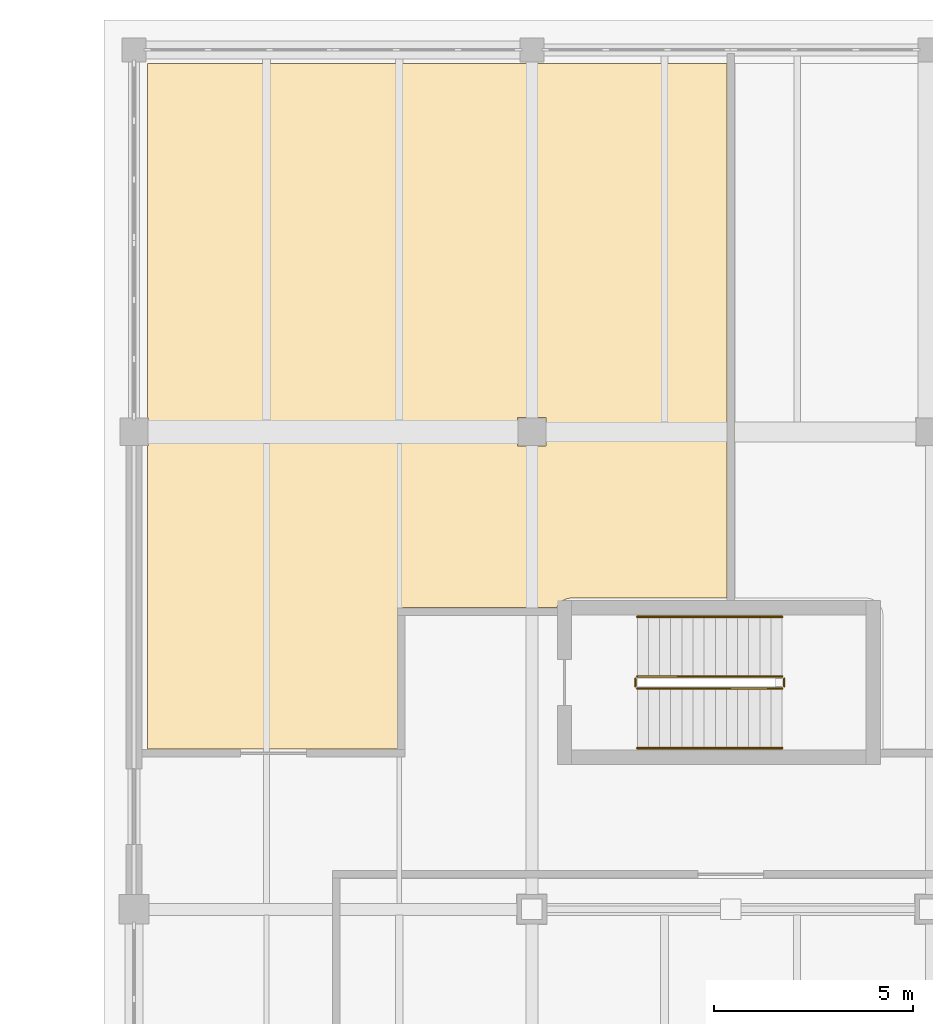
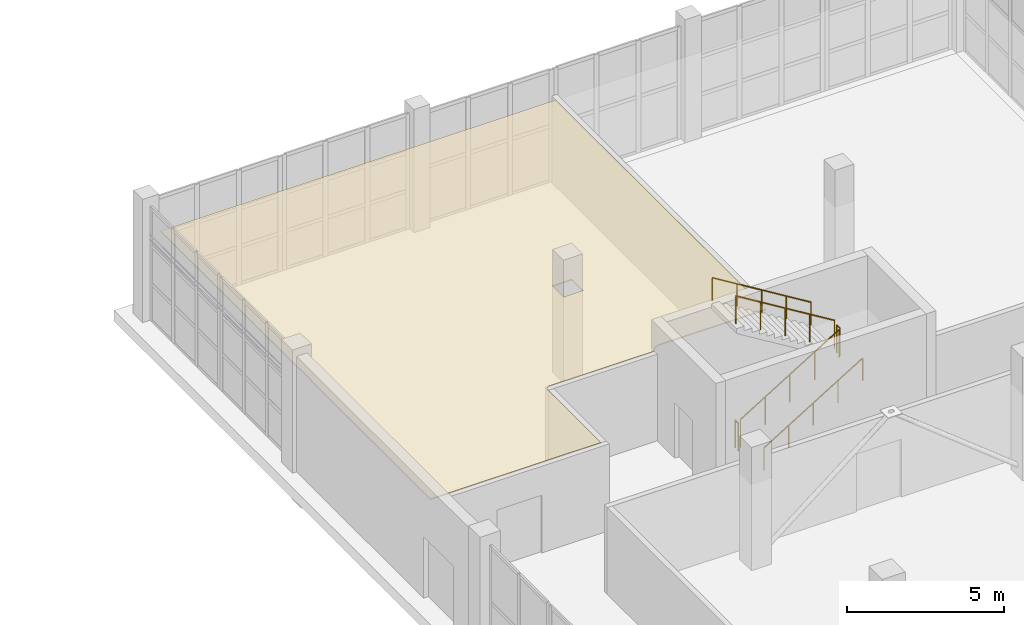
# One storey, part 117 of 121: 6 railings, 1 covering.
"""IFC4 building model written with IfcOpenShell, lengths in metres."""

from ifc_helpers import new_model, si_unit, direction, frame, origin, origin_2d, place, context, subcontext, project, spatial, polyline, circle, outline, extrude, material, layer, layer_set, type_object, element, save


model = new_model("IFC4")

# Units and contexts
model_context = context("Model", 3, precision=1e-05, world=origin(), true_north=direction((0.0, 1.0)))
body_context = subcontext(model_context, "Body", "Model", "MODEL_VIEW")
ifc_project = project(units=[si_unit("LENGTHUNIT", "METRE"), si_unit("AREAUNIT", "SQUARE_METRE"), si_unit("VOLUMEUNIT", "CUBIC_METRE"), si_unit("PLANEANGLEUNIT", "RADIAN"), si_unit("MASSUNIT", "GRAM", prefix="KILO")], contexts=[model_context])

# Site, building, storey
site_placement = place(None, origin())
site = spatial("IfcSite", under=ifc_project, at=site_placement, CompositionType="ELEMENT")
building_placement = place(site_placement, origin())
building = spatial("IfcBuilding", under=site, at=building_placement, Name="Zereglee Splitstone Museum", CompositionType="ELEMENT")
storey_placement = place(building_placement, origin())
storey = spatial("IfcBuildingStorey", under=building, at=storey_placement, Name="L00", CompositionType="ELEMENT", Elevation=0.0)

# Covering
ifc_material_1 = material(Name="Perforated acoustic gypsum board ceiling", Category="masonry")
ifc_layer = layer(ifc_material_1, 0.044921875)
ifc_layer_set = layer_set([ifc_layer], Name="Perforated acoustic gypsum board ceiling")
covering_type = type_object("IfcCoveringType", Name="CLG-02", PredefinedType="CEILING", material=ifc_layer_set)
covering_placement = place(storey_placement, frame((0.0, 0.0, 3.3349609375)))
element("IfcCovering", 1, at=covering_placement, inside=storey, type_object=covering_type, Name="Acoustic Ceiling L00-015", PredefinedType="CEILING", context=body_context, shape_type="SweptSolid", body=[
    extrude(outline(polyline([(181.9990234375, 45.97998046875), (181.9833984375, 45.979248046875), (181.9814453125, 45.97900390625), (181.9658203125, 45.976806640625), (181.9638671875, 45.976318359375), (181.94873046875, 45.972412109375), (181.94677734375, 45.971923828125), (181.931884765625, 45.966796875), (181.93017578125, 45.9658203125), (181.916015625, 45.959228515625), (181.914306640625, 45.958251953125), (181.90087890625, 45.9501953125), (181.899169921875, 45.94921875), (181.88671875, 45.939697265625), (181.885009765625, 45.9384765625), (181.873291015625, 45.927978515625), (181.8720703125, 45.926513671875), (181.861572265625, 45.914794921875), (181.8603515625, 45.913330078125), (181.850830078125, 45.90087890625), (181.849853515625, 45.899169921875), (181.841796875, 45.8857421875), (181.8408203125, 45.884033203125), (181.833984375, 45.869873046875), (181.833251953125, 45.867919921875), (181.828125, 45.853271484375), (181.827392578125, 45.851318359375), (181.82373046875, 45.836181640625), (181.8232421875, 45.833984375), (181.821044921875, 45.818603515625), (181.82080078125, 45.816650390625), (181.820068359375, 45.801025390625), (181.820068359375, 45.800048828125), (181.820068359375, 42.429931640625), (175.5400390625, 42.429931640625), (175.5400390625, 50.0419921875), (175.55810546875, 50.0419921875), (175.55810546875, 50.758056640625), (175.5400390625, 50.758056640625), (175.5400390625, 59.659912109375), (190.10009765625, 59.659912109375), (190.10009765625, 46.219970703125), (186.199951171875, 46.219970703125), (186.15869140625, 46.218017578125), (186.1181640625, 46.2119140625), (186.078125, 46.201904296875), (186.039306640625, 46.18798828125), (186.001953125, 46.17041015625), (185.966796875, 46.149169921875), (185.93359375, 46.124755859375), (185.903076171875, 46.096923828125), (185.875244140625, 46.06640625), (185.850830078125, 46.033203125), (185.82958984375, 45.998046875), (185.821044921875, 45.97998046875), (182.0, 45.97998046875), (181.9990234375, 45.97998046875)]), holes=[polyline([(185.55810546875, 50.758056640625), (184.842041015625, 50.758056640625), (184.842041015625, 50.0419921875), (185.55810546875, 50.0419921875), (185.55810546875, 50.758056640625)])]), origin(), (0.0, 0.0, 1.0), 0.044921875),
])

# Railings
ifc_material_2 = material(Name="Painted steel S355J2 post-and-baluster guard", Category="steel")
railing_type_1 = type_object("IfcRailingType", Name="GR-03", PredefinedType="BALUSTRADE", material=ifc_material_2)
railing_1_placement = place(storey_placement, frame((187.85009765625, 43.949951171875, 0.17138671875)))
element("IfcRailing", 2, at=railing_1_placement, inside=storey, type_object=railing_type_1, Name="L00 ST-07 stair guard 1", PredefinedType="BALUSTRADE", context=body_context, shape_type="SweptSolid", body=[
    extrude(circle(Radius=0.02392578125, at=origin_2d()), frame((0.0, 0.0, 1.076416015625), z_axis=(0.852850264322, 0.0, 0.5221555579), x_axis=(0.0, 1.0, 0.0)), (0.0, 0.0, 1.0), 4.267822265625),
    extrude(circle(Radius=0.02099609375, at=origin_2d()), origin(), (0.0, 0.0, 1.0), 1.052001953125),
    extrude(circle(Radius=0.02099609375, at=origin_2d()), frame((0.909912109375, 0.0, 0.55712890625)), (0.0, 0.0, 1.0), 1.052001953125),
    extrude(circle(Radius=0.02099609375, at=origin_2d()), frame((1.81982421875, 0.0, 1.1142578125)), (0.0, 0.0, 1.0), 1.052001953125),
    extrude(circle(Radius=0.02099609375, at=origin_2d()), frame((2.72998046875, 0.0, 1.67138671875)), (0.0, 0.0, 1.0), 1.052001953125),
    extrude(circle(Radius=0.02099609375, at=origin_2d()), frame((3.639892578125, 0.0, 2.228515625)), (0.0, 0.0, 1.0), 1.052001953125),
])
railing_2_placement = place(storey_placement, frame((191.5400390625, 44.0, 2.39990234375)))
element("IfcRailing", 3, at=railing_2_placement, inside=storey, type_object=railing_type_1, Name="L00 ST-07 stair guard 2", PredefinedType="BALUSTRADE", context=body_context, shape_type="SweptSolid", body=[
    extrude(circle(Radius=0.02392578125, at=origin_2d()), frame((0.0, 0.0, 1.076416015625), z_axis=(0.0, 1.0, 0.0), x_axis=(-1.0, 0.0, 0.0)), (0.0, 0.0, 1.0), 0.199951171875),
    extrude(circle(Radius=0.02099609375, at=origin_2d()), origin(), (0.0, 0.0, 1.0), 1.052001953125),
    extrude(circle(Radius=0.02099609375, at=origin_2d()), frame((0.0, 0.199951171875, 0.0)), (0.0, 0.0, 1.0), 1.052001953125),
])
railing_3_placement = place(storey_placement, frame((191.489990234375, 44.25, 2.571533203125)))
element("IfcRailing", 4, at=railing_3_placement, inside=storey, type_object=railing_type_1, Name="L00 ST-07 stair guard 3", PredefinedType="BALUSTRADE", context=body_context, shape_type="SweptSolid", body=[
    extrude(circle(Radius=0.02392578125, at=origin_2d()), frame((0.0, 0.0, 1.076416015625), z_axis=(-0.852850264322, 0.0, 0.5221555579), x_axis=(0.0, -1.0, 0.0)), (0.0, 0.0, 1.0), 4.267822265625),
    extrude(circle(Radius=0.02099609375, at=origin_2d()), origin(), (0.0, 0.0, 1.0), 1.052001953125),
    extrude(circle(Radius=0.02099609375, at=origin_2d()), frame((-0.909912109375, 0.0, 0.55712890625)), (0.0, 0.0, 1.0), 1.052001953125),
    extrude(circle(Radius=0.02099609375, at=origin_2d()), frame((-1.81982421875, 0.0, 1.1142578125)), (0.0, 0.0, 1.0), 1.052001953125),
    extrude(circle(Radius=0.02099609375, at=origin_2d()), frame((-2.72998046875, 0.0, 1.67138671875)), (0.0, 0.0, 1.0), 1.052001953125),
    extrude(circle(Radius=0.02099609375, at=origin_2d()), frame((-3.639892578125, 0.0, 2.228515625)), (0.0, 0.0, 1.0), 1.052001953125),
])
railing_4_placement = place(storey_placement, frame((187.800048828125, 44.0, 0.0)))
element("IfcRailing", 5, at=railing_4_placement, inside=storey, type_object=railing_type_1, Name="L00 ST-07 stair guard 4", PredefinedType="BALUSTRADE", context=body_context, shape_type="SweptSolid", body=[
    extrude(circle(Radius=0.02392578125, at=origin_2d()), frame((0.0, 0.0, 1.076416015625), z_axis=(0.0, 1.0, 0.0), x_axis=(-1.0, 0.0, 0.0)), (0.0, 0.0, 1.0), 0.199951171875),
    extrude(circle(Radius=0.02099609375, at=origin_2d()), origin(), (0.0, 0.0, 1.0), 1.052001953125),
    extrude(circle(Radius=0.02099609375, at=origin_2d()), frame((0.0, 0.199951171875, 0.0)), (0.0, 0.0, 1.0), 1.052001953125),
])
ifc_material_3 = material(Name="Architectural bronze tubular handrail", Category="steel")
railing_type_2 = type_object("IfcRailingType", Name="HR-01", PredefinedType="HANDRAIL", material=ifc_material_3)
railing_5_placement = place(storey_placement, frame((187.85009765625, 42.449951171875, 0.17138671875)))
element("IfcRailing", 6, at=railing_5_placement, inside=storey, type_object=railing_type_2, Name="L00 ST-07 stair handrail 1", PredefinedType="HANDRAIL", context=body_context, shape_type="SweptSolid", body=[
    extrude(circle(Radius=0.02392578125, at=origin_2d()), frame((0.0, 0.0, 0.8759765625), z_axis=(0.852850264322, 0.0, 0.5221555579), x_axis=(0.0, 1.0, 0.0)), (0.0, 0.0, 1.0), 4.267822265625),
    extrude(circle(Radius=0.02099609375, at=origin_2d()), origin(), (0.0, 0.0, 1.0), 0.851806640625),
    extrude(circle(Radius=0.02099609375, at=origin_2d()), frame((0.909912109375, 0.0, 0.55712890625)), (0.0, 0.0, 1.0), 0.851806640625),
    extrude(circle(Radius=0.02099609375, at=origin_2d()), frame((1.81982421875, 0.0, 1.1142578125)), (0.0, 0.0, 1.0), 0.851806640625),
    extrude(circle(Radius=0.02099609375, at=origin_2d()), frame((2.72998046875, 0.0, 1.67138671875)), (0.0, 0.0, 1.0), 0.851806640625),
    extrude(circle(Radius=0.02099609375, at=origin_2d()), frame((3.639892578125, 0.0, 2.228515625)), (0.0, 0.0, 1.0), 0.851806640625),
])
railing_6_placement = place(storey_placement, frame((191.489990234375, 45.75, 2.571533203125)))
element("IfcRailing", 7, at=railing_6_placement, inside=storey, type_object=railing_type_2, Name="L00 ST-07 stair handrail 2", PredefinedType="HANDRAIL", context=body_context, shape_type="SweptSolid", body=[
    extrude(circle(Radius=0.02392578125, at=origin_2d()), frame((0.0, 0.0, 0.8759765625), z_axis=(-0.852850264322, 0.0, 0.5221555579), x_axis=(0.0, -1.0, 0.0)), (0.0, 0.0, 1.0), 4.267822265625),
    extrude(circle(Radius=0.02099609375, at=origin_2d()), origin(), (0.0, 0.0, 1.0), 0.851806640625),
    extrude(circle(Radius=0.02099609375, at=origin_2d()), frame((-0.909912109375, 0.0, 0.55712890625)), (0.0, 0.0, 1.0), 0.851806640625),
    extrude(circle(Radius=0.02099609375, at=origin_2d()), frame((-1.81982421875, 0.0, 1.1142578125)), (0.0, 0.0, 1.0), 0.851806640625),
    extrude(circle(Radius=0.02099609375, at=origin_2d()), frame((-2.72998046875, 0.0, 1.67138671875)), (0.0, 0.0, 1.0), 0.851806640625),
    extrude(circle(Radius=0.02099609375, at=origin_2d()), frame((-3.639892578125, 0.0, 2.228515625)), (0.0, 0.0, 1.0), 0.851806640625),
])

save(model, "model.ifc")
